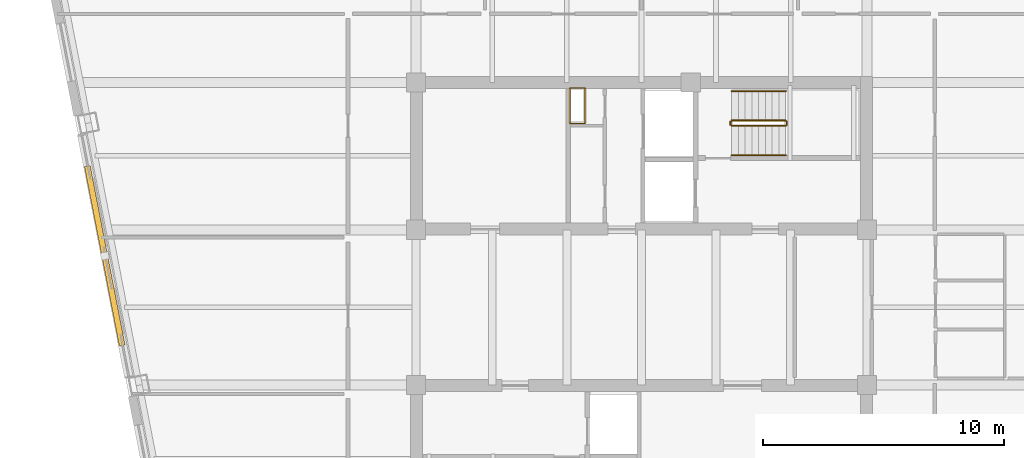
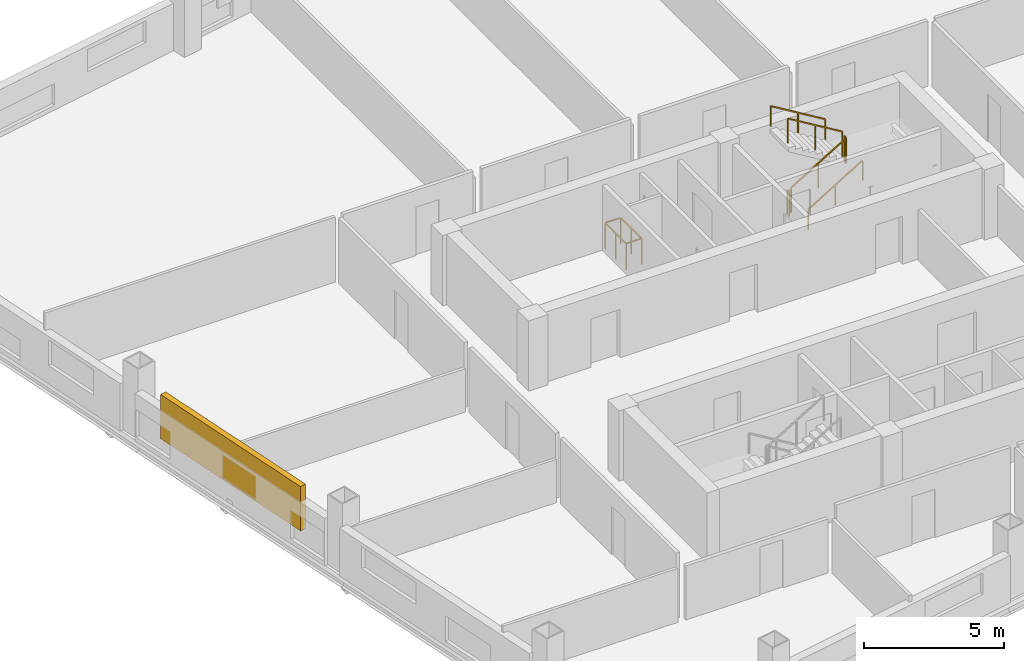
# One storey, part 8 of 9: 7 railings, 1 shading device.
"""IFC4 building model written with IfcOpenShell, lengths in metres."""

from ifc_helpers import new_model, si_unit, direction, frame, origin, origin_2d, place, context, subcontext, project, spatial, rectangle, extrude, material, type_object, element, save


model = new_model("IFC4")

# Units and contexts
model_context = context("Model", 3, precision=1e-05, world=origin(), true_north=direction((0.0, 1.0)))
body_context = subcontext(model_context, "Body", "Model", "MODEL_VIEW")
ifc_project = project(units=[si_unit("LENGTHUNIT", "METRE"), si_unit("AREAUNIT", "SQUARE_METRE"), si_unit("VOLUMEUNIT", "CUBIC_METRE"), si_unit("PLANEANGLEUNIT", "RADIAN"), si_unit("MASSUNIT", "GRAM", prefix="KILO")], contexts=[model_context])

# Site, building, storey
site_placement = place(None, origin())
site = spatial("IfcSite", under=ifc_project, at=site_placement, CompositionType="ELEMENT")
building_placement = place(site_placement, origin())
building = spatial("IfcBuilding", under=site, at=building_placement, Name="Qhalaya Broadcast Tower", CompositionType="ELEMENT")
storey_placement = place(building_placement, frame((0.0, 0.0, 134.14990234375)))
storey = spatial("IfcBuildingStorey", under=building, at=storey_placement, Name="L39", CompositionType="ELEMENT", Elevation=134.14990234375)

# Railings
ifc_material_1 = material(Name="Powder-Coated Galvanised Steel", Category="steel")
railing_type_1 = type_object("IfcRailingType", Name="Stair Wall Handrail 900", PredefinedType="HANDRAIL", material=ifc_material_1)
railing_1_placement = place(storey_placement, frame((3.75, 6.929931640625, 0.16943359375)))
element("IfcRailing", 1, at=railing_1_placement, inside=storey, type_object=railing_type_1, Name="L39 ST-1 Stair Handrail 1", PredefinedType="HANDRAIL", context=body_context, shape_type="SweptSolid", body=[
    extrude(rectangle(XDim=0.048095703125, YDim=0.048095703125, at=origin_2d()), frame((0.0, 0.0, 0.8759765625), z_axis=(0.855512035549, 0.0, 0.517782924622), x_axis=(0.0, 1.0, 0.0)), (0.0, 0.0, 1.0), 2.618408203125),
    extrude(rectangle(XDim=0.0419921875, YDim=0.0419921875, at=origin_2d()), origin(), (0.0, 0.0, 1.0), 0.849853515625),
    extrude(rectangle(XDim=0.0419921875, YDim=0.0419921875, at=origin_2d()), frame((1.1201171875, 0.0, 0.677734375)), (0.0, 0.0, 1.0), 0.849853515625),
    extrude(rectangle(XDim=0.0419921875, YDim=0.0419921875, at=origin_2d()), frame((2.239990234375, 0.0, 1.355712890625)), (0.0, 0.0, 1.0), 0.849853515625),
])
railing_2_placement = place(storey_placement, frame((5.989990234375, 9.590087890625, 1.694580078125)))
element("IfcRailing", 2, at=railing_2_placement, inside=storey, type_object=railing_type_1, Name="L39 ST-1 Stair Handrail 2", PredefinedType="HANDRAIL", context=body_context, shape_type="SweptSolid", body=[
    extrude(rectangle(XDim=0.048095703125, YDim=0.048095703125, at=origin_2d()), frame((0.0, 0.0, 0.8759765625), z_axis=(-0.855553338991, 0.0, 0.51771467445), x_axis=(0.0, -1.0, 0.0)), (0.0, 0.0, 1.0), 2.6181640625),
    extrude(rectangle(XDim=0.0419921875, YDim=0.0419921875, at=origin_2d()), origin(), (0.0, 0.0, 1.0), 0.849853515625),
    extrude(rectangle(XDim=0.0419921875, YDim=0.0419921875, at=origin_2d()), frame((-1.1201171875, 0.0, 0.677734375)), (0.0, 0.0, 1.0), 0.849853515625),
    extrude(rectangle(XDim=0.0419921875, YDim=0.0419921875, at=origin_2d()), frame((-2.239990234375, 0.0, 1.35546875)), (0.0, 0.0, 1.0), 0.849853515625),
])
railing_type_2 = type_object("IfcRailingType", Name="Stair Well & Landing Guardrail 1100", PredefinedType="GUARDRAIL", material=ifc_material_1)
railing_3_placement = place(storey_placement, frame((-2.340087890625, 8.239990234375, 0.0)))
element("IfcRailing", 3, at=railing_3_placement, inside=storey, type_object=railing_type_2, Name="L39 Service Riser Opening Safety Guard NRSR", PredefinedType="GUARDRAIL", context=body_context, shape_type="SweptSolid", body=[
    extrude(rectangle(XDim=0.048095703125, YDim=0.048095703125, at=origin_2d()), frame((0.0, 0.02880859375, 1.1259765625), z_axis=(0.0, 1.0, 0.0), x_axis=(-1.0, 0.0, 0.0)), (0.0, 0.0, 1.0), 1.42236328125),
    extrude(rectangle(XDim=0.048095703125, YDim=0.048095703125, at=origin_2d()), frame((-0.02880859375, 1.47998046875, 1.1259765625), z_axis=(-1.0, 0.0, 0.0), x_axis=(0.0, -1.0, 0.0)), (0.0, 0.0, 1.0), 0.582275390625),
    extrude(rectangle(XDim=0.048095703125, YDim=0.048095703125, at=origin_2d()), frame((-0.639892578125, 1.451171875, 1.1259765625), z_axis=(0.0, -1.0, 0.0), x_axis=(1.0, 0.0, 0.0)), (0.0, 0.0, 1.0), 1.42236328125),
    extrude(rectangle(XDim=0.048095703125, YDim=0.048095703125, at=origin_2d()), frame((-0.611083984375, 0.0, 1.1259765625), z_axis=(1.0, 0.0, 0.0), x_axis=(0.0, 1.0, 0.0)), (0.0, 0.0, 1.0), 0.582275390625),
    extrude(rectangle(XDim=0.0419921875, YDim=0.0419921875, at=origin_2d()), origin(), (0.0, 0.0, 1.0), 1.099853515625),
    extrude(rectangle(XDim=0.0419921875, YDim=0.0419921875, at=origin_2d()), frame((0.0, 0.739990234375, 0.0)), (0.0, 0.0, 1.0), 1.099853515625),
    extrude(rectangle(XDim=0.0419921875, YDim=0.0419921875, at=origin_2d()), frame((0.0, 1.47998046875, 0.0)), (0.0, 0.0, 1.0), 1.099853515625),
    extrude(rectangle(XDim=0.0419921875, YDim=0.0419921875, at=origin_2d()), frame((-0.639892578125, 1.47998046875, 0.0)), (0.0, 0.0, 1.0), 1.099853515625),
    extrude(rectangle(XDim=0.0419921875, YDim=0.0419921875, at=origin_2d()), frame((-0.639892578125, 0.739990234375, 0.0)), (0.0, 0.0, 1.0), 1.099853515625),
    extrude(rectangle(XDim=0.0419921875, YDim=0.0419921875, at=origin_2d()), frame((-0.639892578125, 0.0, 0.0)), (0.0, 0.0, 1.0), 1.099853515625),
])
railing_4_placement = place(storey_placement, frame((3.75, 8.14990234375, 0.16943359375)))
element("IfcRailing", 4, at=railing_4_placement, inside=storey, type_object=railing_type_2, Name="L39 ST-1 Stair Guard 1", PredefinedType="GUARDRAIL", context=body_context, shape_type="SweptSolid", body=[
    extrude(rectangle(XDim=0.048095703125, YDim=0.048095703125, at=origin_2d()), frame((0.0, 0.0, 1.076171875), z_axis=(0.855512035549, 0.0, 0.517782924622), x_axis=(0.0, 1.0, 0.0)), (0.0, 0.0, 1.0), 2.618408203125),
    extrude(rectangle(XDim=0.0419921875, YDim=0.0419921875, at=origin_2d()), origin(), (0.0, 0.0, 1.0), 1.050048828125),
    extrude(rectangle(XDim=0.0419921875, YDim=0.0419921875, at=origin_2d()), frame((1.1201171875, 0.0, 0.677734375)), (0.0, 0.0, 1.0), 1.050048828125),
    extrude(rectangle(XDim=0.0419921875, YDim=0.0419921875, at=origin_2d()), frame((2.239990234375, 0.0, 1.355712890625)), (0.0, 0.0, 1.0), 1.050048828125),
])
railing_5_placement = place(storey_placement, frame((6.0400390625, 8.199951171875, 1.525146484375)))
element("IfcRailing", 5, at=railing_5_placement, inside=storey, type_object=railing_type_2, Name="L39 ST-1 Stair Guard 2", PredefinedType="GUARDRAIL", context=body_context, shape_type="SweptSolid", body=[
    extrude(rectangle(XDim=0.048095703125, YDim=0.048095703125, at=origin_2d()), frame((0.0, 0.0, 1.076171875), z_axis=(0.0, 1.0, 0.0), x_axis=(-1.0, 0.0, 0.0)), (0.0, 0.0, 1.0), 0.1201171875),
    extrude(rectangle(XDim=0.0419921875, YDim=0.0419921875, at=origin_2d()), origin(), (0.0, 0.0, 1.0), 1.050048828125),
    extrude(rectangle(XDim=0.0419921875, YDim=0.0419921875, at=origin_2d()), frame((0.0, 0.1201171875, 0.0)), (0.0, 0.0, 1.0), 1.050048828125),
])
railing_6_placement = place(storey_placement, frame((5.989990234375, 8.3701171875, 1.694580078125)))
element("IfcRailing", 6, at=railing_6_placement, inside=storey, type_object=railing_type_2, Name="L39 ST-1 Stair Guard 3", PredefinedType="GUARDRAIL", context=body_context, shape_type="SweptSolid", body=[
    extrude(rectangle(XDim=0.048095703125, YDim=0.048095703125, at=origin_2d()), frame((0.0, 0.0, 1.076171875), z_axis=(-0.855553338991, 0.0, 0.51771467445), x_axis=(0.0, -1.0, 0.0)), (0.0, 0.0, 1.0), 2.6181640625),
    extrude(rectangle(XDim=0.0419921875, YDim=0.0419921875, at=origin_2d()), origin(), (0.0, 0.0, 1.0), 1.050048828125),
    extrude(rectangle(XDim=0.0419921875, YDim=0.0419921875, at=origin_2d()), frame((-1.1201171875, 0.0, 0.677734375)), (0.0, 0.0, 1.0), 1.050048828125),
    extrude(rectangle(XDim=0.0419921875, YDim=0.0419921875, at=origin_2d()), frame((-2.239990234375, 0.0, 1.35546875)), (0.0, 0.0, 1.0), 1.050048828125),
])
railing_7_placement = place(storey_placement, frame((3.699951171875, 8.199951171875, 0.0)))
element("IfcRailing", 7, at=railing_7_placement, inside=storey, type_object=railing_type_2, Name="L39 ST-1 Stair Guard 4", PredefinedType="GUARDRAIL", context=body_context, shape_type="SweptSolid", body=[
    extrude(rectangle(XDim=0.048095703125, YDim=0.048095703125, at=origin_2d()), frame((0.0, 0.0, 1.076171875), z_axis=(0.0, 1.0, 0.0), x_axis=(-1.0, 0.0, 0.0)), (0.0, 0.0, 1.0), 0.1201171875),
    extrude(rectangle(XDim=0.0419921875, YDim=0.0419921875, at=origin_2d()), origin(), (0.0, 0.0, 1.0), 1.050048828125),
    extrude(rectangle(XDim=0.0419921875, YDim=0.0419921875, at=origin_2d()), frame((0.0, 0.1201171875, 0.0)), (0.0, 0.0, 1.0), 1.050048828125),
])

# Shading device
ifc_material_2 = material(Name="Fired Architectural Terracotta", Category="masonry")
shading_device_type = type_object("IfcShadingDeviceType", Name="Terracotta Baguette Solar Screen Assembly TBS-01", PredefinedType="USERDEFINED", material=ifc_material_2)
shading_device_placement = place(storey_placement, frame((-22.3125, 2.742919921875, 0.79248046875), z_axis=(0.0, 0.0, 1.0), x_axis=(0.190808995377, -0.981627183448, 0.0)))
element("IfcShadingDevice", 8, at=shading_device_placement, inside=storey, type_object=shading_device_type, Name="L39 Fired Terracotta Baguette Screen W", ObjectType="BAGUETTE", PredefinedType="USERDEFINED", context=body_context, shape_type="SweptSolid", body=[
    extrude(rectangle(XDim=7.60009765625, YDim=0.239990234375, at=origin_2d()), origin(), (0.0, 0.0, 1.0), 1.924072265625),
])

save(model, "model.ifc")
